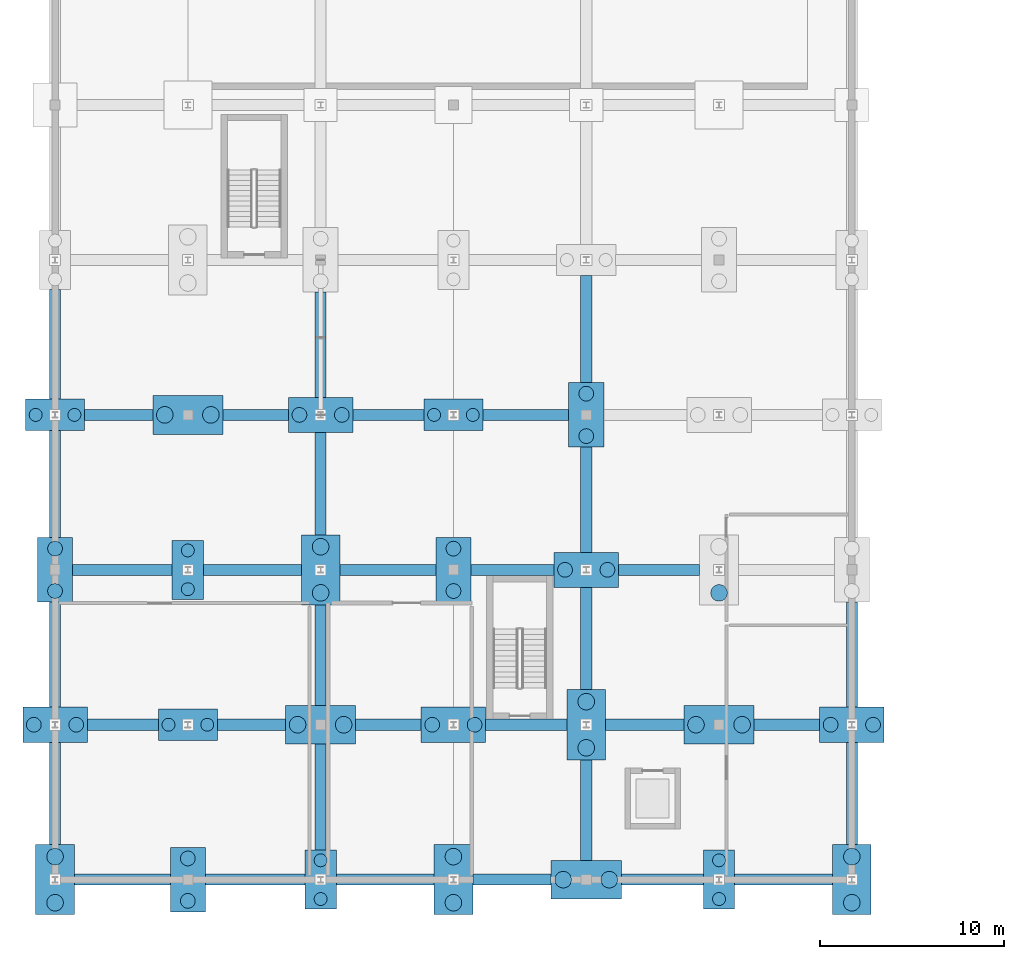
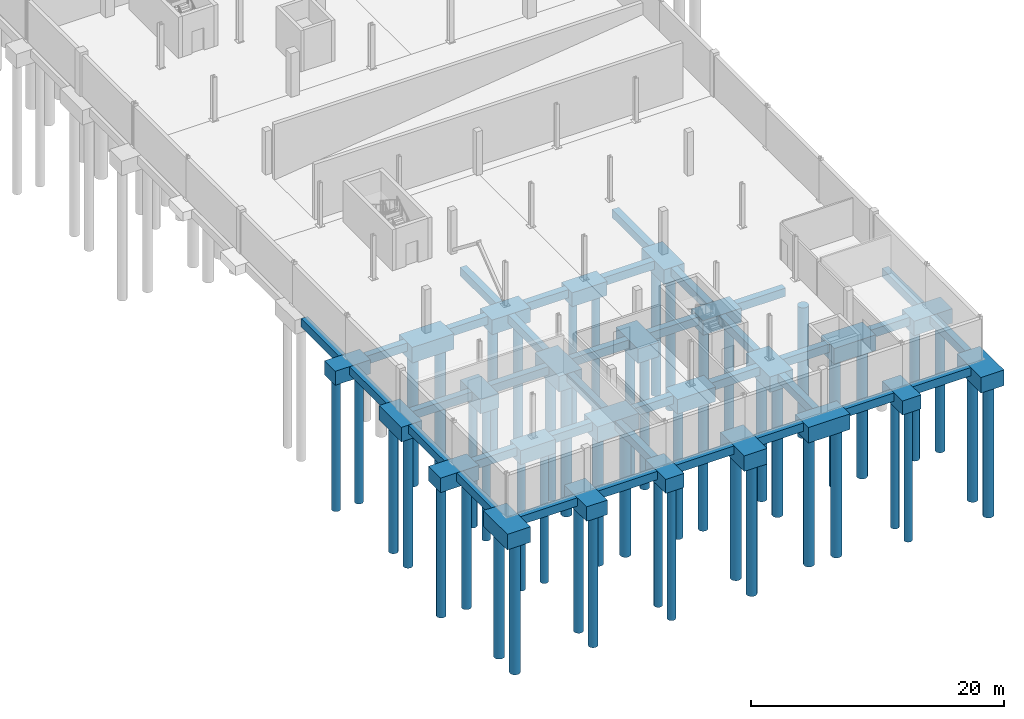
# One storey, part 1 of 32: 59 footings, 49 piles.
"""IFC4 building model written with IfcOpenShell, lengths in metres."""

from ifc_helpers import new_model, si_unit, direction, frame, origin, origin_2d, place, context, subcontext, project, spatial, polyline, rectangle, circle, outline, extrude, material, layer, layer_set, material_profile, profile_set, type_object, element, save


model = new_model("IFC4")

# Units and contexts
model_context = context("Model", 3, precision=1e-05, world=origin(), true_north=direction((0.0, 1.0)))
body_context = subcontext(model_context, "Body", "Model", "MODEL_VIEW")
ifc_project = project(units=[si_unit("LENGTHUNIT", "METRE"), si_unit("AREAUNIT", "SQUARE_METRE"), si_unit("VOLUMEUNIT", "CUBIC_METRE"), si_unit("PLANEANGLEUNIT", "RADIAN"), si_unit("MASSUNIT", "GRAM", prefix="KILO")], contexts=[model_context])

# Site, building, storey
site_placement = place(None, origin())
site = spatial("IfcSite", under=ifc_project, at=site_placement, CompositionType="ELEMENT")
building_placement = place(site_placement, origin())
building = spatial("IfcBuilding", under=site, at=building_placement, Name="Qelthora Terrace Specialist Clinic", CompositionType="ELEMENT")
storey_placement = place(building_placement, frame((0.0, 0.0, -4.199951171875)))
storey = spatial("IfcBuildingStorey", under=building, at=storey_placement, Name="B1", CompositionType="ELEMENT", Elevation=-4.199951171875)

# Footings
ifc_material = material(Name="Concrete C35/45", Category="concrete")
ifc_layer_1 = layer(ifc_material, 1.35009765625)
ifc_layer_set_1 = layer_set([ifc_layer_1], Name="Concrete C35/45")
footing_type_1 = type_object("IfcFootingType", Name="PC-1700X3200X1350", PredefinedType="PILE_CAP", material=ifc_layer_set_1)
for number, where, z_axis, x_axis, name in (
    (1, (7.199951171875, 16.800048828125, -1.650146484375), (0.0, 0.0, 1.0), (1.0, 0.0, 0.0), "Foundation FTG-B1-017"),
    (2, (14.39990234375, 0.0, -1.650146484375), (0.0, 0.0, 1.0), (1.0, 0.0, 0.0), "Foundation FTG-B1-029"),
    (3, (36.0, 0.0, -1.650146484375), (0.0, 0.0, 1.0), (1.0, 0.0, 0.0), "Foundation FTG-B1-065"),
):
    element("IfcFooting", number, at=place(storey_placement, frame(where, z_axis=z_axis, x_axis=x_axis)), inside=storey, type_object=footing_type_1, Name=name, PredefinedType="PILE_CAP", context=body_context, shape_type="SweptSolid", body=[
        extrude(rectangle(XDim=1.699951171875, YDim=3.199951171875, at=origin_2d()), origin(), (0.0, 0.0, 1.0), 1.35009765625),
    ])
ifc_layer_2 = layer(ifc_material, 1.39990234375)
ifc_layer_set_2 = layer_set([ifc_layer_2], Name="Concrete C35/45")
footing_type_2 = type_object("IfcFootingType", Name="PC-1900X3500X1400", PredefinedType="PILE_CAP", material=ifc_layer_set_2)
for number, where, z_axis, x_axis, name in (
    (4, (0.0, 16.800048828125, -1.699951171875), (0.0, 0.0, 1.0), (1.0, 0.0, 0.0), "Foundation FTG-B1-003"),
    (5, (7.199951171875, 0.0, -1.699951171875), (0.0, 0.0, 1.0), (1.0, 0.0, 0.0), "Foundation FTG-B1-015"),
    (6, (21.60009765625, 16.800048828125, -1.699951171875), (0.0, 0.0, 1.0), (1.0, 0.0, 0.0), "Foundation FTG-B1-045"),
    (7, (28.800048828125, 25.199951171875, -1.699951171875), (0.0, 0.0, 1.0), (1.0, 0.0, 0.0), "Foundation FTG-B1-057"),
):
    element("IfcFooting", number, at=place(storey_placement, frame(where, z_axis=z_axis, x_axis=x_axis)), inside=storey, type_object=footing_type_2, Name=name, PredefinedType="PILE_CAP", context=body_context, shape_type="SweptSolid", body=[
        extrude(rectangle(XDim=1.89990234375, YDim=3.5, at=origin_2d()), origin(), (0.0, 0.0, 1.0), 1.39990234375),
    ])
ifc_layer_3 = layer(ifc_material, 1.5)
ifc_layer_set_3 = layer_set([ifc_layer_3], Name="Concrete C35/45")
footing_type_3 = type_object("IfcFootingType", Name="PC-2100X3800X1500", PredefinedType="PILE_CAP", material=ifc_layer_set_3)
for number, where, z_axis, x_axis, name in (
    (8, (0.0, 0.0, -1.800048828125), (0.0, 0.0, 1.0), (1.0, 0.0, 0.0), "Foundation FTG-B1-001"),
    (9, (14.39990234375, 16.800048828125, -1.800048828125), (0.0, 0.0, 1.0), (1.0, 0.0, 0.0), "Foundation FTG-B1-031"),
    (10, (21.60009765625, 0.0, -1.800048828125), (0.0, 0.0, 1.0), (1.0, 0.0, 0.0), "Foundation FTG-B1-043"),
    (11, (28.800048828125, 8.39990234375, -1.800048828125), (0.0, 0.0, 1.0), (1.0, 0.0, 0.0), "Foundation FTG-B1-055"),
    (12, (43.199951171875, 0.0, -1.800048828125), (0.0, 0.0, 1.0), (1.0, 0.0, 0.0), "Foundation FTG-B1-079"),
):
    element("IfcFooting", number, at=place(storey_placement, frame(where, z_axis=z_axis, x_axis=x_axis)), inside=storey, type_object=footing_type_3, Name=name, PredefinedType="PILE_CAP", context=body_context, shape_type="SweptSolid", body=[
        extrude(rectangle(XDim=2.10009765625, YDim=3.800048828125, at=origin_2d()), origin(), (0.0, 0.0, 1.0), 1.5),
    ])
ifc_layer_4 = layer(ifc_material, 1.35009765625)
ifc_layer_set_4 = layer_set([ifc_layer_4], Name="Concrete C35/45")
footing_type_4 = type_object("IfcFootingType", Name="PC-3200X1700X1350", PredefinedType="PILE_CAP", material=ifc_layer_set_4)
for number, where, z_axis, x_axis, name in (
    (13, (0.0, 25.199951171875, -1.650146484375), (0.0, 0.0, 1.0), (1.0, 0.0, 0.0), "Foundation FTG-B1-004"),
    (14, (7.199951171875, 8.39990234375, -1.650146484375), (0.0, 0.0, 1.0), (1.0, 0.0, 0.0), "Foundation FTG-B1-016"),
    (15, (21.60009765625, 25.199951171875, -1.650146484375), (0.0, 0.0, 1.0), (1.0, 0.0, 0.0), "Foundation FTG-B1-046"),
):
    element("IfcFooting", number, at=place(storey_placement, frame(where, z_axis=z_axis, x_axis=x_axis)), inside=storey, type_object=footing_type_4, Name=name, PredefinedType="PILE_CAP", context=body_context, shape_type="SweptSolid", body=[
        extrude(rectangle(XDim=3.199951171875, YDim=1.699951171875, at=origin_2d()), origin(), (0.0, 0.0, 1.0), 1.35009765625),
    ])
ifc_layer_5 = layer(ifc_material, 1.39990234375)
ifc_layer_set_5 = layer_set([ifc_layer_5], Name="Concrete C35/45")
footing_type_5 = type_object("IfcFootingType", Name="PC-3500X1900X1400", PredefinedType="PILE_CAP", material=ifc_layer_set_5)
for number, where, z_axis, x_axis, name in (
    (16, (0.0, 8.39990234375, -1.699951171875), (0.0, 0.0, 1.0), (1.0, 0.0, 0.0), "Foundation FTG-B1-002"),
    (17, (14.39990234375, 25.199951171875, -1.699951171875), (0.0, 0.0, 1.0), (1.0, 0.0, 0.0), "Foundation FTG-B1-032"),
    (18, (21.60009765625, 8.39990234375, -1.699951171875), (0.0, 0.0, 1.0), (1.0, 0.0, 0.0), "Foundation FTG-B1-044"),
    (19, (28.800048828125, 16.800048828125, -1.699951171875), (0.0, 0.0, 1.0), (1.0, 0.0, 0.0), "Foundation FTG-B1-056"),
    (20, (43.199951171875, 8.39990234375, -1.699951171875), (0.0, 0.0, 1.0), (1.0, 0.0, 0.0), "Foundation FTG-B1-080"),
):
    element("IfcFooting", number, at=place(storey_placement, frame(where, z_axis=z_axis, x_axis=x_axis)), inside=storey, type_object=footing_type_5, Name=name, PredefinedType="PILE_CAP", context=body_context, shape_type="SweptSolid", body=[
        extrude(rectangle(XDim=3.5, YDim=1.89990234375, at=origin_2d()), origin(), (0.0, 0.0, 1.0), 1.39990234375),
    ])
ifc_layer_6 = layer(ifc_material, 1.5)
ifc_layer_set_6 = layer_set([ifc_layer_6], Name="Concrete C35/45")
footing_type_6 = type_object("IfcFootingType", Name="PC-3800X2100X1500", PredefinedType="PILE_CAP", material=ifc_layer_set_6)
for number, where, z_axis, x_axis, name in (
    (21, (7.199951171875, 25.199951171875, -1.800048828125), (0.0, 0.0, 1.0), (1.0, 0.0, 0.0), "Foundation FTG-B1-018"),
    (22, (14.39990234375, 8.39990234375, -1.800048828125), (0.0, 0.0, 1.0), (1.0, 0.0, 0.0), "Foundation FTG-B1-030"),
    (23, (28.800048828125, 0.0, -1.800048828125), (0.0, 0.0, 1.0), (1.0, 0.0, 0.0), "Foundation FTG-B1-054"),
    (24, (36.0, 8.39990234375, -1.800048828125), (0.0, 0.0, 1.0), (1.0, 0.0, 0.0), "Foundation FTG-B1-066"),
):
    element("IfcFooting", number, at=place(storey_placement, frame(where, z_axis=z_axis, x_axis=x_axis)), inside=storey, type_object=footing_type_6, Name=name, PredefinedType="PILE_CAP", context=body_context, shape_type="SweptSolid", body=[
        extrude(rectangle(XDim=3.800048828125, YDim=2.10009765625, at=origin_2d()), origin(), (0.0, 0.0, 1.0), 1.5),
    ])

# Piles
ifc_material_profile_1 = material_profile(ifc_material, circle(Radius=0.35009765625, at=origin_2d()), Name="PILE700")
ifc_profile_set_1 = profile_set([ifc_material_profile_1], Name="Concrete C35/45")
pile_type_1 = type_object("IfcPileType", Name="PILE-D700-C35", PredefinedType="BORED", material=ifc_profile_set_1)
for number, where, z_axis, x_axis, name in (
    (25, (-1.050048828125, 25.199951171875, -1.550048828125), (0.0, 0.0, -1.0), (1.0, 0.0, 0.0), "Bored pile PILE-B1-004-1"),
    (26, (1.050048828125, 25.199951171875, -1.550048828125), (0.0, 0.0, -1.0), (1.0, 0.0, 0.0), "Bored pile PILE-B1-004-2"),
    (27, (6.14990234375, 8.39990234375, -1.550048828125), (0.0, 0.0, -1.0), (1.0, 0.0, 0.0), "Bored pile PILE-B1-016-1"),
    (28, (8.25, 8.39990234375, -1.550048828125), (0.0, 0.0, -1.0), (1.0, 0.0, 0.0), "Bored pile PILE-B1-016-2"),
    (29, (7.199951171875, 15.75, -1.550048828125), (0.0, 0.0, -1.0), (1.0, 0.0, 0.0), "Bored pile PILE-B1-017-1"),
    (30, (7.199951171875, 17.85009765625, -1.550048828125), (0.0, 0.0, -1.0), (1.0, 0.0, 0.0), "Bored pile PILE-B1-017-2"),
    (31, (14.39990234375, -1.050048828125, -1.550048828125), (0.0, 0.0, -1.0), (1.0, 0.0, 0.0), "Bored pile PILE-B1-029-1"),
    (32, (14.39990234375, 1.050048828125, -1.550048828125), (0.0, 0.0, -1.0), (1.0, 0.0, 0.0), "Bored pile PILE-B1-029-2"),
    (33, (20.550048828125, 25.199951171875, -1.550048828125), (0.0, 0.0, -1.0), (1.0, 0.0, 0.0), "Bored pile PILE-B1-046-1"),
    (34, (22.64990234375, 25.199951171875, -1.550048828125), (0.0, 0.0, -1.0), (1.0, 0.0, 0.0), "Bored pile PILE-B1-046-2"),
    (35, (36.0, -1.050048828125, -1.550048828125), (0.0, 0.0, -1.0), (1.0, 0.0, 0.0), "Bored pile PILE-B1-065-1"),
    (36, (36.0, 1.050048828125, -1.550048828125), (0.0, 0.0, -1.0), (1.0, 0.0, 0.0), "Bored pile PILE-B1-065-2"),
):
    element("IfcPile", number, at=place(storey_placement, frame(where, z_axis=z_axis, x_axis=x_axis)), inside=storey, type_object=pile_type_1, Name=name, PredefinedType="BORED", context=body_context, shape_type="SweptSolid", body=[
        extrude(circle(Radius=0.35009765625, at=origin_2d()), origin(), (0.0, 0.0, 1.0), 12.75),
    ])
ifc_material_profile_2 = material_profile(ifc_material, circle(Radius=0.39990234375, at=origin_2d()), Name="PILE800")
ifc_profile_set_2 = profile_set([ifc_material_profile_2], Name="Concrete C35/45")
pile_type_2 = type_object("IfcPileType", Name="PILE-D800-C35", PredefinedType="BORED", material=ifc_profile_set_2)
for number, where, z_axis, x_axis, name in (
    (37, (-1.14990234375, 8.39990234375, -1.60009765625), (0.0, 0.0, -1.0), (1.0, 0.0, 0.0), "Bored pile PILE-B1-002-1"),
    (38, (1.14990234375, 8.39990234375, -1.60009765625), (0.0, 0.0, -1.0), (1.0, 0.0, 0.0), "Bored pile PILE-B1-002-2"),
    (39, (0.0, 15.64990234375, -1.60009765625), (0.0, 0.0, -1.0), (1.0, 0.0, 0.0), "Bored pile PILE-B1-003-1"),
    (40, (0.0, 17.949951171875, -1.60009765625), (0.0, 0.0, -1.0), (1.0, 0.0, 0.0), "Bored pile PILE-B1-003-2"),
    (41, (7.199951171875, -1.14990234375, -1.60009765625), (0.0, 0.0, -1.0), (1.0, 0.0, 0.0), "Bored pile PILE-B1-015-1"),
    (42, (7.199951171875, 1.14990234375, -1.60009765625), (0.0, 0.0, -1.0), (1.0, 0.0, 0.0), "Bored pile PILE-B1-015-2"),
    (43, (13.25, 25.199951171875, -1.60009765625), (0.0, 0.0, -1.0), (1.0, 0.0, 0.0), "Bored pile PILE-B1-032-1"),
    (44, (15.550048828125, 25.199951171875, -1.60009765625), (0.0, 0.0, -1.0), (1.0, 0.0, 0.0), "Bored pile PILE-B1-032-2"),
    (45, (20.449951171875, 8.39990234375, -1.60009765625), (0.0, 0.0, -1.0), (1.0, 0.0, 0.0), "Bored pile PILE-B1-044-1"),
    (46, (22.75, 8.39990234375, -1.60009765625), (0.0, 0.0, -1.0), (1.0, 0.0, 0.0), "Bored pile PILE-B1-044-2"),
    (47, (21.60009765625, 15.64990234375, -1.60009765625), (0.0, 0.0, -1.0), (1.0, 0.0, 0.0), "Bored pile PILE-B1-045-1"),
    (48, (21.60009765625, 17.949951171875, -1.60009765625), (0.0, 0.0, -1.0), (1.0, 0.0, 0.0), "Bored pile PILE-B1-045-2"),
    (49, (27.64990234375, 16.800048828125, -1.60009765625), (0.0, 0.0, -1.0), (1.0, 0.0, 0.0), "Bored pile PILE-B1-056-1"),
    (50, (29.949951171875, 16.800048828125, -1.60009765625), (0.0, 0.0, -1.0), (1.0, 0.0, 0.0), "Bored pile PILE-B1-056-2"),
    (51, (28.800048828125, 24.050048828125, -1.60009765625), (0.0, 0.0, -1.0), (1.0, 0.0, 0.0), "Bored pile PILE-B1-057-1"),
    (52, (28.800048828125, 26.35009765625, -1.60009765625), (0.0, 0.0, -1.0), (1.0, 0.0, 0.0), "Bored pile PILE-B1-057-2"),
    (53, (42.050048828125, 8.39990234375, -1.60009765625), (0.0, 0.0, -1.0), (1.0, 0.0, 0.0), "Bored pile PILE-B1-080-1"),
    (54, (44.35009765625, 8.39990234375, -1.60009765625), (0.0, 0.0, -1.0), (1.0, 0.0, 0.0), "Bored pile PILE-B1-080-2"),
):
    element("IfcPile", number, at=place(storey_placement, frame(where, z_axis=z_axis, x_axis=x_axis)), inside=storey, type_object=pile_type_2, Name=name, PredefinedType="BORED", context=body_context, shape_type="SweptSolid", body=[
        extrude(circle(Radius=0.39990234375, at=origin_2d()), origin(), (0.0, 0.0, 1.0), 12.699951171875),
    ])
ifc_material_profile_3 = material_profile(ifc_material, circle(Radius=0.449951171875, at=origin_2d()), Name="PILE900")
ifc_profile_set_3 = profile_set([ifc_material_profile_3], Name="Concrete C35/45")
pile_type_3 = type_object("IfcPileType", Name="PILE-D900-C35", PredefinedType="BORED", material=ifc_profile_set_3)
for number, where, z_axis, x_axis, name in (
    (55, (0.0, -1.25, -1.699951171875), (0.0, 0.0, -1.0), (1.0, 0.0, 0.0), "Bored pile PILE-B1-001-1"),
    (56, (0.0, 1.25, -1.699951171875), (0.0, 0.0, -1.0), (1.0, 0.0, 0.0), "Bored pile PILE-B1-001-2"),
    (57, (5.949951171875, 25.199951171875, -1.699951171875), (0.0, 0.0, -1.0), (1.0, 0.0, 0.0), "Bored pile PILE-B1-018-1"),
    (58, (8.449951171875, 25.199951171875, -1.699951171875), (0.0, 0.0, -1.0), (1.0, 0.0, 0.0), "Bored pile PILE-B1-018-2"),
    (59, (13.14990234375, 8.39990234375, -1.699951171875), (0.0, 0.0, -1.0), (1.0, 0.0, 0.0), "Bored pile PILE-B1-030-1"),
    (60, (15.64990234375, 8.39990234375, -1.699951171875), (0.0, 0.0, -1.0), (1.0, 0.0, 0.0), "Bored pile PILE-B1-030-2"),
    (61, (14.39990234375, 15.550048828125, -1.699951171875), (0.0, 0.0, -1.0), (1.0, 0.0, 0.0), "Bored pile PILE-B1-031-1"),
    (62, (14.39990234375, 18.050048828125, -1.699951171875), (0.0, 0.0, -1.0), (1.0, 0.0, 0.0), "Bored pile PILE-B1-031-2"),
    (63, (21.60009765625, -1.25, -1.699951171875), (0.0, 0.0, -1.0), (1.0, 0.0, 0.0), "Bored pile PILE-B1-043-1"),
    (64, (21.60009765625, 1.25, -1.699951171875), (0.0, 0.0, -1.0), (1.0, 0.0, 0.0), "Bored pile PILE-B1-043-2"),
    (65, (27.550048828125, 0.0, -1.699951171875), (0.0, 0.0, -1.0), (1.0, 0.0, 0.0), "Bored pile PILE-B1-054-1"),
    (66, (30.050048828125, 0.0, -1.699951171875), (0.0, 0.0, -1.0), (1.0, 0.0, 0.0), "Bored pile PILE-B1-054-2"),
    (67, (28.800048828125, 7.14990234375, -1.699951171875), (0.0, 0.0, -1.0), (1.0, 0.0, 0.0), "Bored pile PILE-B1-055-1"),
    (68, (28.800048828125, 9.64990234375, -1.699951171875), (0.0, 0.0, -1.0), (1.0, 0.0, 0.0), "Bored pile PILE-B1-055-2"),
    (69, (34.75, 8.39990234375, -1.699951171875), (0.0, 0.0, -1.0), (1.0, 0.0, 0.0), "Bored pile PILE-B1-066-1"),
    (70, (37.25, 8.39990234375, -1.699951171875), (0.0, 0.0, -1.0), (1.0, 0.0, 0.0), "Bored pile PILE-B1-066-2"),
    (71, (36.0, 15.550048828125, -1.699951171875), (0.0, 0.0, -1.0), (1.0, 0.0, 0.0), "Bored pile PILE-B1-067-1"),
    (72, (43.199951171875, -1.25, -1.699951171875), (0.0, 0.0, -1.0), (1.0, 0.0, 0.0), "Bored pile PILE-B1-079-1"),
    (73, (43.199951171875, 1.25, -1.699951171875), (0.0, 0.0, -1.0), (1.0, 0.0, 0.0), "Bored pile PILE-B1-079-2"),
):
    element("IfcPile", number, at=place(storey_placement, frame(where, z_axis=z_axis, x_axis=x_axis)), inside=storey, type_object=pile_type_3, Name=name, PredefinedType="BORED", context=body_context, shape_type="SweptSolid", body=[
        extrude(circle(Radius=0.449951171875, at=origin_2d()), origin(), (0.0, 0.0, 1.0), 12.60009765625),
    ])

# Footings
ifc_layer_7 = layer(ifc_material, 0.800048828125)
ifc_layer_set_7 = layer_set([ifc_layer_7], Name="Concrete C35/45")
footing_type_7 = type_object("IfcFootingType", Name="SF-600X800-C35", PredefinedType="STRIP_FOOTING", material=ifc_layer_set_7)
footing_1_placement = place(storey_placement, frame((0.0, 0.0, -1.10009765625)))
element("IfcFooting", 74, at=footing_1_placement, inside=storey, type_object=footing_type_7, Name="Foundation tie strip SF-X-001", PredefinedType="STRIP_FOOTING", context=body_context, shape_type="SweptSolid", body=[
    extrude(outline(polyline([(1.050048828125, -0.300048828125), (6.25, -0.300048828125), (6.25, 0.300048828125), (1.050048828125, 0.300048828125), (1.050048828125, -0.300048828125)])), origin(), (0.0, 0.0, 1.0), 0.800048828125),
])
footing_2_placement = place(storey_placement, frame((0.0, 0.0, -1.10009765625)))
element("IfcFooting", 75, at=footing_2_placement, inside=storey, type_object=footing_type_7, Name="Foundation tie strip SF-Y-002", PredefinedType="STRIP_FOOTING", context=body_context, shape_type="SweptSolid", body=[
    extrude(outline(polyline([(-0.300048828125, 1.89990234375), (0.300048828125, 1.89990234375), (0.300048828125, 7.449951171875), (-0.300048828125, 7.449951171875), (-0.300048828125, 1.89990234375)])), origin(), (0.0, 0.0, 1.0), 0.800048828125),
])
footing_3_placement = place(storey_placement, frame((0.0, 0.0, -1.10009765625)))
element("IfcFooting", 76, at=footing_3_placement, inside=storey, type_object=footing_type_7, Name="Foundation tie strip SF-X-003", PredefinedType="STRIP_FOOTING", context=body_context, shape_type="SweptSolid", body=[
    extrude(outline(polyline([(1.75, 8.10009765625), (5.60009765625, 8.10009765625), (5.60009765625, 8.699951171875), (1.75, 8.699951171875), (1.75, 8.10009765625)])), origin(), (0.0, 0.0, 1.0), 0.800048828125),
])
footing_4_placement = place(storey_placement, frame((0.0, 0.0, -1.10009765625)))
element("IfcFooting", 77, at=footing_4_placement, inside=storey, type_object=footing_type_7, Name="Foundation tie strip SF-Y-004", PredefinedType="STRIP_FOOTING", context=body_context, shape_type="SweptSolid", body=[
    extrude(outline(polyline([(-0.300048828125, 9.35009765625), (0.300048828125, 9.35009765625), (0.300048828125, 15.050048828125), (-0.300048828125, 15.050048828125), (-0.300048828125, 9.35009765625)])), origin(), (0.0, 0.0, 1.0), 0.800048828125),
])
footing_5_placement = place(storey_placement, frame((0.0, 0.0, -1.10009765625)))
element("IfcFooting", 78, at=footing_5_placement, inside=storey, type_object=footing_type_7, Name="Foundation tie strip SF-X-005", PredefinedType="STRIP_FOOTING", context=body_context, shape_type="SweptSolid", body=[
    extrude(outline(polyline([(0.949951171875, 16.5), (6.35009765625, 16.5), (6.35009765625, 17.10009765625), (0.949951171875, 17.10009765625), (0.949951171875, 16.5)])), origin(), (0.0, 0.0, 1.0), 0.800048828125),
])
footing_6_placement = place(storey_placement, frame((0.0, 0.0, -1.10009765625)))
element("IfcFooting", 79, at=footing_6_placement, inside=storey, type_object=footing_type_7, Name="Foundation tie strip SF-Y-006", PredefinedType="STRIP_FOOTING", context=body_context, shape_type="SweptSolid", body=[
    extrude(outline(polyline([(-0.300048828125, 18.550048828125), (0.300048828125, 18.550048828125), (0.300048828125, 24.35009765625), (-0.300048828125, 24.35009765625), (-0.300048828125, 18.550048828125)])), origin(), (0.0, 0.0, 1.0), 0.800048828125),
])
footing_7_placement = place(storey_placement, frame((0.0, 0.0, -1.10009765625)))
element("IfcFooting", 80, at=footing_7_placement, inside=storey, type_object=footing_type_7, Name="Foundation tie strip SF-X-007", PredefinedType="STRIP_FOOTING", context=body_context, shape_type="SweptSolid", body=[
    extrude(outline(polyline([(1.60009765625, 24.89990234375), (5.300048828125, 24.89990234375), (5.300048828125, 25.5), (1.60009765625, 25.5), (1.60009765625, 24.89990234375)])), origin(), (0.0, 0.0, 1.0), 0.800048828125),
])
footing_8_placement = place(storey_placement, frame((0.0, 0.0, -1.10009765625)))
element("IfcFooting", 81, at=footing_8_placement, inside=storey, type_object=footing_type_7, Name="Foundation tie strip SF-Y-008", PredefinedType="STRIP_FOOTING", context=body_context, shape_type="SweptSolid", body=[
    extrude(outline(polyline([(-0.300048828125, 26.050048828125), (0.300048828125, 26.050048828125), (0.300048828125, 32.0), (-0.300048828125, 32.0), (-0.300048828125, 26.050048828125)])), origin(), (0.0, 0.0, 1.0), 0.800048828125),
])
footing_9_placement = place(storey_placement, frame((0.0, 0.0, -1.10009765625)))
element("IfcFooting", 82, at=footing_9_placement, inside=storey, type_object=footing_type_7, Name="Foundation tie strip SF-X-028", PredefinedType="STRIP_FOOTING", context=body_context, shape_type="SweptSolid", body=[
    extrude(outline(polyline([(8.14990234375, -0.300048828125), (13.550048828125, -0.300048828125), (13.550048828125, 0.300048828125), (8.14990234375, 0.300048828125), (8.14990234375, -0.300048828125)])), origin(), (0.0, 0.0, 1.0), 0.800048828125),
])
footing_10_placement = place(storey_placement, frame((0.0, 0.0, -1.10009765625)))
element("IfcFooting", 83, at=footing_10_placement, inside=storey, type_object=footing_type_7, Name="Foundation tie strip SF-X-029", PredefinedType="STRIP_FOOTING", context=body_context, shape_type="SweptSolid", body=[
    extrude(outline(polyline([(8.800048828125, 8.10009765625), (12.5, 8.10009765625), (12.5, 8.699951171875), (8.800048828125, 8.699951171875), (8.800048828125, 8.10009765625)])), origin(), (0.0, 0.0, 1.0), 0.800048828125),
])
footing_11_placement = place(storey_placement, frame((0.0, 0.0, -1.10009765625)))
element("IfcFooting", 84, at=footing_11_placement, inside=storey, type_object=footing_type_7, Name="Foundation tie strip SF-X-030", PredefinedType="STRIP_FOOTING", context=body_context, shape_type="SweptSolid", body=[
    extrude(outline(polyline([(8.050048828125, 16.5), (13.35009765625, 16.5), (13.35009765625, 17.10009765625), (8.050048828125, 17.10009765625), (8.050048828125, 16.5)])), origin(), (0.0, 0.0, 1.0), 0.800048828125),
])
footing_12_placement = place(storey_placement, frame((0.0, 0.0, -1.10009765625)))
element("IfcFooting", 85, at=footing_12_placement, inside=storey, type_object=footing_type_7, Name="Foundation tie strip SF-X-031", PredefinedType="STRIP_FOOTING", context=body_context, shape_type="SweptSolid", body=[
    extrude(outline(polyline([(9.10009765625, 24.89990234375), (12.64990234375, 24.89990234375), (12.64990234375, 25.5), (9.10009765625, 25.5), (9.10009765625, 24.89990234375)])), origin(), (0.0, 0.0, 1.0), 0.800048828125),
])
footing_13_placement = place(storey_placement, frame((0.0, 0.0, -1.10009765625)))
element("IfcFooting", 86, at=footing_13_placement, inside=storey, type_object=footing_type_7, Name="Foundation tie strip SF-X-042", PredefinedType="STRIP_FOOTING", context=body_context, shape_type="SweptSolid", body=[
    extrude(outline(polyline([(15.25, -0.300048828125), (20.550048828125, -0.300048828125), (20.550048828125, 0.300048828125), (15.25, 0.300048828125), (15.25, -0.300048828125)])), origin(), (0.0, 0.0, 1.0), 0.800048828125),
])
footing_14_placement = place(storey_placement, frame((0.0, 0.0, -1.10009765625)))
element("IfcFooting", 87, at=footing_14_placement, inside=storey, type_object=footing_type_7, Name="Foundation tie strip SF-Y-043", PredefinedType="STRIP_FOOTING", context=body_context, shape_type="SweptSolid", body=[
    extrude(outline(polyline([(14.10009765625, 1.60009765625), (14.699951171875, 1.60009765625), (14.699951171875, 7.35009765625), (14.10009765625, 7.35009765625), (14.10009765625, 1.60009765625)])), origin(), (0.0, 0.0, 1.0), 0.800048828125),
])
footing_15_placement = place(storey_placement, frame((0.0, 0.0, -1.10009765625)))
element("IfcFooting", 88, at=footing_15_placement, inside=storey, type_object=footing_type_7, Name="Foundation tie strip SF-X-044", PredefinedType="STRIP_FOOTING", context=body_context, shape_type="SweptSolid", body=[
    extrude(outline(polyline([(16.300048828125, 8.10009765625), (19.85009765625, 8.10009765625), (19.85009765625, 8.699951171875), (16.300048828125, 8.699951171875), (16.300048828125, 8.10009765625)])), origin(), (0.0, 0.0, 1.0), 0.800048828125),
])
footing_16_placement = place(storey_placement, frame((0.0, 0.0, -1.10009765625)))
element("IfcFooting", 89, at=footing_16_placement, inside=storey, type_object=footing_type_7, Name="Foundation tie strip SF-Y-045", PredefinedType="STRIP_FOOTING", context=body_context, shape_type="SweptSolid", body=[
    extrude(outline(polyline([(14.10009765625, 9.449951171875), (14.699951171875, 9.449951171875), (14.699951171875, 14.89990234375), (14.10009765625, 14.89990234375), (14.10009765625, 9.449951171875)])), origin(), (0.0, 0.0, 1.0), 0.800048828125),
])
footing_17_placement = place(storey_placement, frame((0.0, 0.0, -1.10009765625)))
element("IfcFooting", 90, at=footing_17_placement, inside=storey, type_object=footing_type_7, Name="Foundation tie strip SF-X-046", PredefinedType="STRIP_FOOTING", context=body_context, shape_type="SweptSolid", body=[
    extrude(outline(polyline([(15.449951171875, 16.5), (20.64990234375, 16.5), (20.64990234375, 17.10009765625), (15.449951171875, 17.10009765625), (15.449951171875, 16.5)])), origin(), (0.0, 0.0, 1.0), 0.800048828125),
])
footing_18_placement = place(storey_placement, frame((0.0, 0.0, -1.10009765625)))
element("IfcFooting", 91, at=footing_18_placement, inside=storey, type_object=footing_type_7, Name="Foundation tie strip SF-Y-047", PredefinedType="STRIP_FOOTING", context=body_context, shape_type="SweptSolid", body=[
    extrude(outline(polyline([(14.10009765625, 18.699951171875), (14.699951171875, 18.699951171875), (14.699951171875, 24.25), (14.10009765625, 24.25), (14.10009765625, 18.699951171875)])), origin(), (0.0, 0.0, 1.0), 0.800048828125),
])
footing_19_placement = place(storey_placement, frame((0.0, 0.0, -1.10009765625)))
element("IfcFooting", 92, at=footing_19_placement, inside=storey, type_object=footing_type_7, Name="Foundation tie strip SF-X-048", PredefinedType="STRIP_FOOTING", context=body_context, shape_type="SweptSolid", body=[
    extrude(outline(polyline([(16.14990234375, 24.89990234375), (20.0, 24.89990234375), (20.0, 25.5), (16.14990234375, 25.5), (16.14990234375, 24.89990234375)])), origin(), (0.0, 0.0, 1.0), 0.800048828125),
])
footing_20_placement = place(storey_placement, frame((0.0, 0.0, -1.10009765625)))
element("IfcFooting", 93, at=footing_20_placement, inside=storey, type_object=footing_type_7, Name="Foundation tie strip SF-Y-049", PredefinedType="STRIP_FOOTING", context=body_context, shape_type="SweptSolid", body=[
    extrude(outline(polyline([(14.10009765625, 26.14990234375), (14.699951171875, 26.14990234375), (14.699951171875, 31.85009765625), (14.10009765625, 31.85009765625), (14.10009765625, 26.14990234375)])), origin(), (0.0, 0.0, 1.0), 0.800048828125),
])
footing_21_placement = place(storey_placement, frame((0.0, 0.0, -1.10009765625)))
element("IfcFooting", 94, at=footing_21_placement, inside=storey, type_object=footing_type_7, Name="Foundation tie strip SF-X-066", PredefinedType="STRIP_FOOTING", context=body_context, shape_type="SweptSolid", body=[
    extrude(outline(polyline([(22.64990234375, -0.300048828125), (26.89990234375, -0.300048828125), (26.89990234375, 0.300048828125), (22.64990234375, 0.300048828125), (22.64990234375, -0.300048828125)])), origin(), (0.0, 0.0, 1.0), 0.800048828125),
])
footing_22_placement = place(storey_placement, frame((0.0, 0.0, -1.10009765625)))
element("IfcFooting", 95, at=footing_22_placement, inside=storey, type_object=footing_type_7, Name="Foundation tie strip SF-X-067", PredefinedType="STRIP_FOOTING", context=body_context, shape_type="SweptSolid", body=[
    extrude(outline(polyline([(23.35009765625, 8.10009765625), (27.75, 8.10009765625), (27.75, 8.699951171875), (23.35009765625, 8.699951171875), (23.35009765625, 8.10009765625)])), origin(), (0.0, 0.0, 1.0), 0.800048828125),
])
footing_23_placement = place(storey_placement, frame((0.0, 0.0, -1.10009765625)))
element("IfcFooting", 96, at=footing_23_placement, inside=storey, type_object=footing_type_7, Name="Foundation tie strip SF-X-068", PredefinedType="STRIP_FOOTING", context=body_context, shape_type="SweptSolid", body=[
    extrude(outline(polyline([(22.550048828125, 16.5), (27.050048828125, 16.5), (27.050048828125, 17.10009765625), (22.550048828125, 17.10009765625), (22.550048828125, 16.5)])), origin(), (0.0, 0.0, 1.0), 0.800048828125),
])
footing_24_placement = place(storey_placement, frame((0.0, 0.0, -1.10009765625)))
element("IfcFooting", 97, at=footing_24_placement, inside=storey, type_object=footing_type_7, Name="Foundation tie strip SF-X-069", PredefinedType="STRIP_FOOTING", context=body_context, shape_type="SweptSolid", body=[
    extrude(outline(polyline([(23.199951171875, 24.89990234375), (27.85009765625, 24.89990234375), (27.85009765625, 25.5), (23.199951171875, 25.5), (23.199951171875, 24.89990234375)])), origin(), (0.0, 0.0, 1.0), 0.800048828125),
])
footing_25_placement = place(storey_placement, frame((0.0, 0.0, -1.10009765625)))
element("IfcFooting", 98, at=footing_25_placement, inside=storey, type_object=footing_type_7, Name="Foundation tie strip SF-X-077", PredefinedType="STRIP_FOOTING", context=body_context, shape_type="SweptSolid", body=[
    extrude(outline(polyline([(30.699951171875, -0.300048828125), (35.14990234375, -0.300048828125), (35.14990234375, 0.300048828125), (30.699951171875, 0.300048828125), (30.699951171875, -0.300048828125)])), origin(), (0.0, 0.0, 1.0), 0.800048828125),
])
footing_26_placement = place(storey_placement, frame((0.0, 0.0, -1.10009765625)))
element("IfcFooting", 99, at=footing_26_placement, inside=storey, type_object=footing_type_7, Name="Foundation tie strip SF-Y-078", PredefinedType="STRIP_FOOTING", context=body_context, shape_type="SweptSolid", body=[
    extrude(outline(polyline([(28.5, 1.050048828125), (29.10009765625, 1.050048828125), (29.10009765625, 6.5), (28.5, 6.5), (28.5, 1.050048828125)])), origin(), (0.0, 0.0, 1.0), 0.800048828125),
])
footing_27_placement = place(storey_placement, frame((0.0, 0.0, -1.10009765625)))
element("IfcFooting", 100, at=footing_27_placement, inside=storey, type_object=footing_type_7, Name="Foundation tie strip SF-X-079", PredefinedType="STRIP_FOOTING", context=body_context, shape_type="SweptSolid", body=[
    extrude(outline(polyline([(29.85009765625, 8.10009765625), (34.10009765625, 8.10009765625), (34.10009765625, 8.699951171875), (29.85009765625, 8.699951171875), (29.85009765625, 8.10009765625)])), origin(), (0.0, 0.0, 1.0), 0.800048828125),
])
footing_28_placement = place(storey_placement, frame((0.0, 0.0, -1.10009765625)))
element("IfcFooting", 101, at=footing_28_placement, inside=storey, type_object=footing_type_7, Name="Foundation tie strip SF-Y-080", PredefinedType="STRIP_FOOTING", context=body_context, shape_type="SweptSolid", body=[
    extrude(outline(polyline([(28.5, 10.300048828125), (29.10009765625, 10.300048828125), (29.10009765625, 15.85009765625), (28.5, 15.85009765625), (28.5, 10.300048828125)])), origin(), (0.0, 0.0, 1.0), 0.800048828125),
])
footing_29_placement = place(storey_placement, frame((0.0, 0.0, -1.10009765625)))
element("IfcFooting", 102, at=footing_29_placement, inside=storey, type_object=footing_type_7, Name="Foundation tie strip SF-X-081", PredefinedType="STRIP_FOOTING", context=body_context, shape_type="SweptSolid", body=[
    extrude(outline(polyline([(30.550048828125, 16.5), (34.949951171875, 16.5), (34.949951171875, 17.10009765625), (30.550048828125, 17.10009765625), (30.550048828125, 16.5)])), origin(), (0.0, 0.0, 1.0), 0.800048828125),
])
footing_30_placement = place(storey_placement, frame((0.0, 0.0, -1.10009765625)))
element("IfcFooting", 103, at=footing_30_placement, inside=storey, type_object=footing_type_7, Name="Foundation tie strip SF-Y-082", PredefinedType="STRIP_FOOTING", context=body_context, shape_type="SweptSolid", body=[
    extrude(outline(polyline([(28.5, 17.75), (29.10009765625, 17.75), (29.10009765625, 23.449951171875), (28.5, 23.449951171875), (28.5, 17.75)])), origin(), (0.0, 0.0, 1.0), 0.800048828125),
])
footing_31_placement = place(storey_placement, frame((0.0, 0.0, -1.10009765625)))
element("IfcFooting", 104, at=footing_31_placement, inside=storey, type_object=footing_type_7, Name="Foundation tie strip SF-Y-084", PredefinedType="STRIP_FOOTING", context=body_context, shape_type="SweptSolid", body=[
    extrude(outline(polyline([(28.5, 26.949951171875), (29.10009765625, 26.949951171875), (29.10009765625, 32.75), (28.5, 32.75), (28.5, 26.949951171875)])), origin(), (0.0, 0.0, 1.0), 0.800048828125),
])
footing_32_placement = place(storey_placement, frame((0.0, 0.0, -1.10009765625)))
element("IfcFooting", 105, at=footing_32_placement, inside=storey, type_object=footing_type_7, Name="Foundation tie strip SF-X-097", PredefinedType="STRIP_FOOTING", context=body_context, shape_type="SweptSolid", body=[
    extrude(outline(polyline([(36.85009765625, -0.300048828125), (42.14990234375, -0.300048828125), (42.14990234375, 0.300048828125), (36.85009765625, 0.300048828125), (36.85009765625, -0.300048828125)])), origin(), (0.0, 0.0, 1.0), 0.800048828125),
])
footing_33_placement = place(storey_placement, frame((0.0, 0.0, -1.10009765625)))
element("IfcFooting", 106, at=footing_33_placement, inside=storey, type_object=footing_type_7, Name="Foundation tie strip SF-X-098", PredefinedType="STRIP_FOOTING", context=body_context, shape_type="SweptSolid", body=[
    extrude(outline(polyline([(37.89990234375, 8.10009765625), (41.449951171875, 8.10009765625), (41.449951171875, 8.699951171875), (37.89990234375, 8.699951171875), (37.89990234375, 8.10009765625)])), origin(), (0.0, 0.0, 1.0), 0.800048828125),
])
footing_34_placement = place(storey_placement, frame((0.0, 0.0, -1.10009765625)))
element("IfcFooting", 107, at=footing_34_placement, inside=storey, type_object=footing_type_7, Name="Foundation tie strip SF-Y-111", PredefinedType="STRIP_FOOTING", context=body_context, shape_type="SweptSolid", body=[
    extrude(outline(polyline([(42.89990234375, 1.89990234375), (43.5, 1.89990234375), (43.5, 7.449951171875), (42.89990234375, 7.449951171875), (42.89990234375, 1.89990234375)])), origin(), (0.0, 0.0, 1.0), 0.800048828125),
])
footing_35_placement = place(storey_placement, frame((0.0, 0.0, -1.10009765625)))
element("IfcFooting", 108, at=footing_35_placement, inside=storey, type_object=footing_type_7, Name="Foundation tie strip SF-Y-112", PredefinedType="STRIP_FOOTING", context=body_context, shape_type="SweptSolid", body=[
    extrude(outline(polyline([(42.89990234375, 9.35009765625), (43.5, 9.35009765625), (43.5, 15.050048828125), (42.89990234375, 15.050048828125), (42.89990234375, 9.35009765625)])), origin(), (0.0, 0.0, 1.0), 0.800048828125),
])

save(model, "model.ifc")
